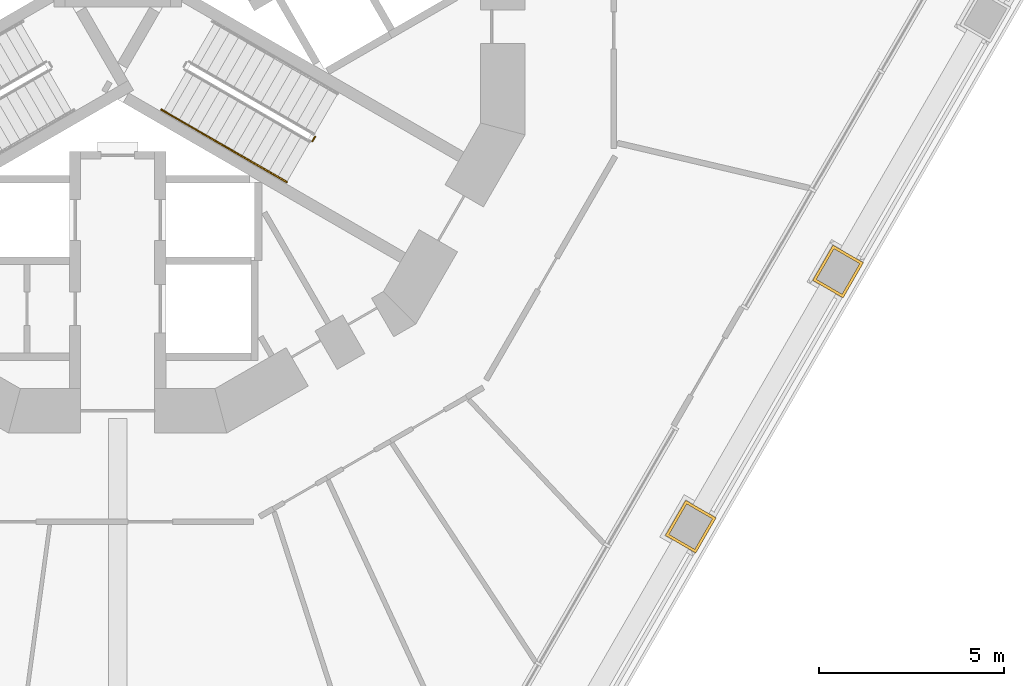
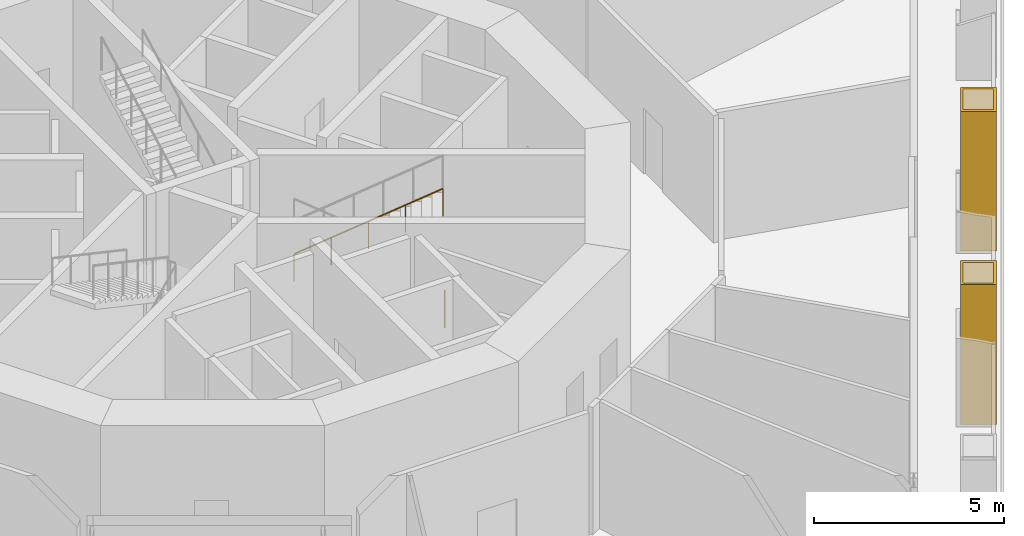
# One storey, part 17 of 21: 3 railings, 2 coverings.
"""IFC4 building model written with IfcOpenShell, lengths in metres."""

from ifc_helpers import new_model, si_unit, direction, frame, origin, origin_2d, place, context, subcontext, project, spatial, polyline, circle, outline, extrude, material, layer, layer_set, type_object, element, save


model = new_model("IFC4")

# Units and contexts
model_context = context("Model", 3, precision=1e-05, world=origin(), true_north=direction((0.0, 1.0)))
body_context = subcontext(model_context, "Body", "Model", "MODEL_VIEW")
ifc_project = project(units=[si_unit("LENGTHUNIT", "METRE"), si_unit("AREAUNIT", "SQUARE_METRE"), si_unit("VOLUMEUNIT", "CUBIC_METRE"), si_unit("PLANEANGLEUNIT", "RADIAN"), si_unit("MASSUNIT", "GRAM", prefix="KILO")], contexts=[model_context])

# Site, building, storey
site_placement = place(None, origin())
site = spatial("IfcSite", under=ifc_project, at=site_placement, CompositionType="ELEMENT")
building_placement = place(site_placement, origin())
building = spatial("IfcBuilding", under=site, at=building_placement, Name="Trine Commons Tower", CompositionType="ELEMENT")
storey_placement = place(building_placement, frame((0.0, 0.0, 9.0)))
storey = spatial("IfcBuildingStorey", under=building, at=storey_placement, Name="L01", CompositionType="ELEMENT", Elevation=9.0)

# Coverings
ifc_material_1 = material(Name="Limestone, honed", Category="masonry")
ifc_layer = layer(ifc_material_1, 0.074951171875)
ifc_layer_set = layer_set([ifc_layer], Name="Limestone, honed")
covering_type = type_object("IfcCoveringType", Name="Limestone column cladding 75", PredefinedType="CLADDING", material=ifc_layer_set)
covering_1_placement = place(storey_placement, origin())
element("IfcCovering", 1, at=covering_1_placement, inside=storey, type_object=covering_type, Name="Limestone pier cladding 1-20", PredefinedType="CLADDING", context=body_context, shape_type="SweptSolid", body=[
    extrude(outline(polyline([(100.15771484375, 56.0947265625), (99.334716796875, 56.569580078125), (98.784912109375, 55.6171875), (99.607666015625, 55.14208984375), (100.15771484375, 56.0947265625)]), holes=[polyline([(100.05517578125, 56.0673828125), (99.3623046875, 56.46728515625), (98.88720703125, 55.64453125), (99.580078125, 55.244384765625), (100.05517578125, 56.0673828125)])]), origin(), (0.0, 0.0, 1.0), 4.5),
])
covering_2_placement = place(storey_placement, origin())
element("IfcCovering", 2, at=covering_2_placement, inside=storey, type_object=covering_type, Name="Limestone pier cladding 1-21", PredefinedType="CLADDING", context=body_context, shape_type="SweptSolid", body=[
    extrude(outline(polyline([(96.17578125, 49.1982421875), (95.35302734375, 49.67333984375), (94.802978515625, 48.720703125), (95.6259765625, 48.24560546875), (96.17578125, 49.1982421875)]), holes=[polyline([(96.073486328125, 49.1708984375), (95.380615234375, 49.57080078125), (94.905517578125, 48.748046875), (95.598388671875, 48.34814453125), (96.073486328125, 49.1708984375)])]), origin(), (0.0, 0.0, 1.0), 4.5),
])

# Railings
ifc_material_2 = material(Name="Stainless steel balustrade", Category="steel")
railing_type_1 = type_object("IfcRailingType", Name="Stair guard, steel balustrade 1100", PredefinedType="GUARDRAIL", material=ifc_material_2)
railing_1_placement = place(storey_placement, frame((85.338134765625, 59.504638671875, 0.0)))
element("IfcRailing", 3, at=railing_1_placement, inside=storey, type_object=railing_type_1, Name="L01 ST3A stair guard 4", PredefinedType="GUARDRAIL", context=body_context, shape_type="SweptSolid", body=[
    extrude(circle(Radius=0.02392578125, at=origin_2d()), frame((0.0, 0.0, 1.076171875), z_axis=(-0.499816412211, -0.866131372301, 0.0), x_axis=(0.866131372301, -0.499816412211, 0.0)), (0.0, 0.0, 1.0), 0.14990234375),
    extrude(circle(Radius=0.02099609375, at=origin_2d()), origin(), (0.0, 0.0, 1.0), 1.052001953125),
    extrude(circle(Radius=0.02099609375, at=origin_2d()), frame((-0.074951171875, -0.1298828125, 0.0)), (0.0, 0.0, 1.0), 1.052001953125),
])
ifc_material_3 = material(Name="Stainless steel handrail", Category="steel")
railing_type_2 = type_object("IfcRailingType", Name="Stair handrail, steel 900", PredefinedType="HANDRAIL", material=ifc_material_3)
railing_2_placement = place(storey_placement, frame((81.175048828125, 60.23388671875, 2.39990234375)))
element("IfcRailing", 4, at=railing_2_placement, inside=storey, type_object=railing_type_2, Name="L01 ST3A stair handrail 3", PredefinedType="HANDRAIL", context=body_context, shape_type="SweptSolid", body=[
    extrude(circle(Radius=0.02099609375, at=origin_2d()), frame((0.0, 0.0, 0.87890625), z_axis=(0.763352030933, -0.440750151347, 0.472263677365), x_axis=(0.500024377727, 0.866011328839, 0.0)), (0.0, 0.0, 1.0), 2.223388671875),
    extrude(circle(Radius=0.01513671875, at=origin_2d()), origin(), (0.0, 0.0, 1.0), 0.85791015625),
    extrude(circle(Radius=0.01513671875, at=origin_2d()), frame((0.8486328125, -0.489990234375, 0.52490234375)), (0.0, 0.0, 1.0), 0.85791015625),
    extrude(circle(Radius=0.01513671875, at=origin_2d()), frame((1.697265625, -0.97998046875, 1.050048828125)), (0.0, 0.0, 1.0), 0.85791015625),
])
railing_3_placement = place(storey_placement, frame((82.872314453125, 59.25390625, 3.449951171875)))
element("IfcRailing", 5, at=railing_3_placement, inside=storey, type_object=railing_type_2, Name="L01 ST3A stair handrail 4", PredefinedType="HANDRAIL", context=body_context, shape_type="SweptSolid", body=[
    extrude(circle(Radius=0.02099609375, at=origin_2d()), frame((0.0, 0.0, 0.87890625), z_axis=(0.763397845365, -0.440713210311, 0.472224095054), x_axis=(0.499970440388, 0.866042469362, 0.0)), (0.0, 0.0, 1.0), 2.2236328125),
    extrude(circle(Radius=0.01513671875, at=origin_2d()), origin(), (0.0, 0.0, 1.0), 0.85791015625),
    extrude(circle(Radius=0.01513671875, at=origin_2d()), frame((0.8486328125, -0.489990234375, 0.52490234375)), (0.0, 0.0, 1.0), 0.85791015625),
    extrude(circle(Radius=0.01513671875, at=origin_2d()), frame((1.697509765625, -0.97998046875, 1.050048828125)), (0.0, 0.0, 1.0), 0.85791015625),
])

save(model, "model.ifc")
